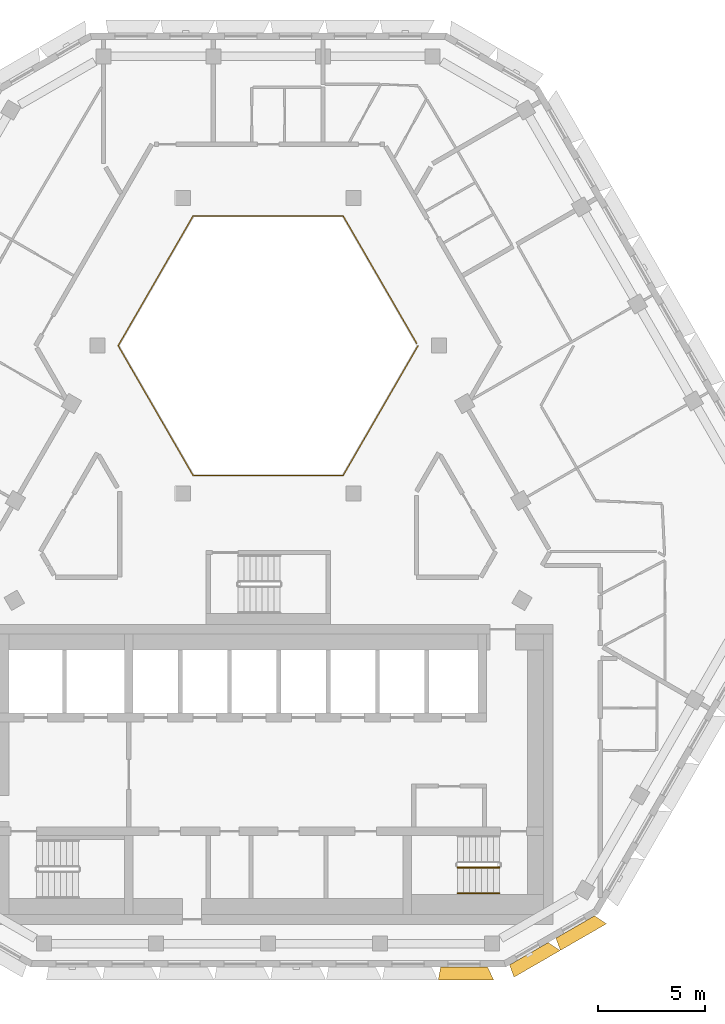
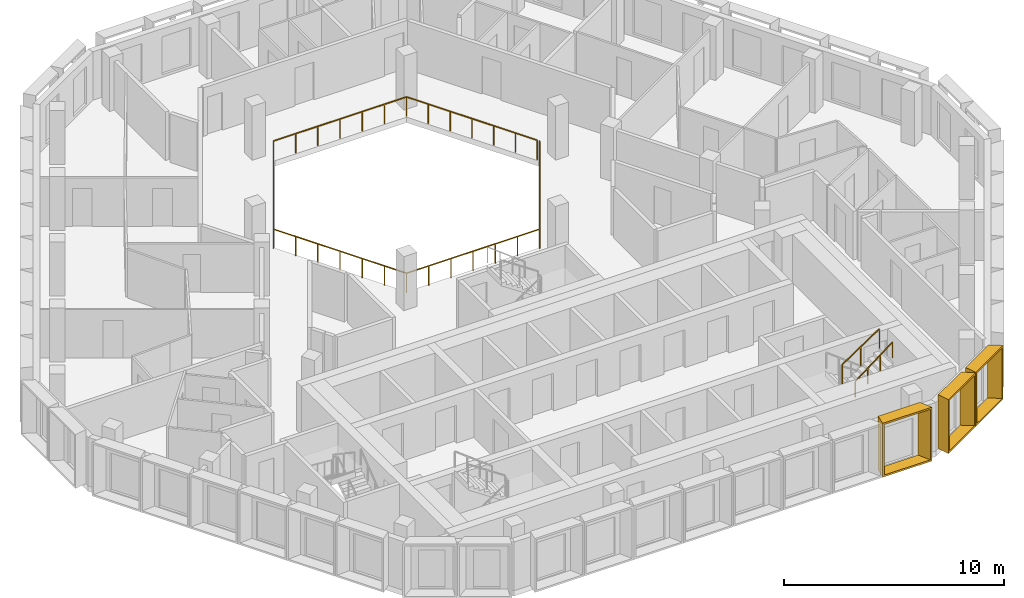
# One storey, part 14 of 16: 3 railings, 3 shading devices.
"""IFC4 building model written with IfcOpenShell, lengths in metres."""

from ifc_helpers import new_model, entity, si_unit, direction, frame, origin, origin_2d, place, context, subcontext, project, spatial, rectangle, extrude, source, transform, mapped, material, type_object, type_shapes, element, save


model = new_model("IFC4")

# Units and contexts
model_context = context("Model", 3, precision=1e-05, world=origin(), true_north=direction((0.0, 1.0)))
body_context = subcontext(model_context, "Body", "Model", "MODEL_VIEW")
ifc_project = project(units=[si_unit("LENGTHUNIT", "METRE"), si_unit("AREAUNIT", "SQUARE_METRE"), si_unit("VOLUMEUNIT", "CUBIC_METRE"), si_unit("PLANEANGLEUNIT", "RADIAN"), si_unit("MASSUNIT", "GRAM", prefix="KILO")], contexts=[model_context])

# Site, building, storey
site_placement = place(None, origin())
site = spatial("IfcSite", under=ifc_project, at=site_placement, CompositionType="ELEMENT")
building_placement = place(site_placement, origin())
building = spatial("IfcBuilding", under=site, at=building_placement, Name="Beryl Residences", CompositionType="ELEMENT")
storey_placement = place(building_placement, frame((0.0, 0.0, 220.800048828125)))
storey = spatial("IfcBuildingStorey", under=building, at=storey_placement, Name="L68", CompositionType="ELEMENT", Elevation=220.800048828125)

# Railing
ifc_material_1 = material(Name="Stainless steel balustrade with glass infill", Category="steel")
railing_type_1 = type_object("IfcRailingType", Name="EG1 edge guard 1100 mm", PredefinedType="GUARDRAIL", material=ifc_material_1)
railing_1_placement = place(storey_placement, frame((6.9970703125, 8.0, 0.0)))
element("IfcRailing", 1, at=railing_1_placement, inside=storey, type_object=railing_type_1, Name="L68 atrium guard", PredefinedType="GUARDRAIL", context=body_context, shape_type="SweptSolid", body=[
    extrude(rectangle(XDim=0.048095703125, YDim=0.048095703125, at=origin_2d()), frame((0.0, 0.0, 1.076171875), z_axis=(-0.499921796684, -0.866070549782, 0.0), x_axis=(0.866070549782, -0.499921796684, 0.0)), (0.0, 0.0, 1.0), 6.9970703125),
    extrude(rectangle(XDim=0.048095703125, YDim=0.048095703125, at=origin_2d()), frame((-3.498046875, -6.06005859375, 1.076171875), z_axis=(-1.0, 0.0, 0.0), x_axis=(0.0, -1.0, 0.0)), (0.0, 0.0, 1.0), 6.998046875),
    extrude(rectangle(XDim=0.048095703125, YDim=0.048095703125, at=origin_2d()), frame((-10.49609375, -6.06005859375, 1.076171875), z_axis=(-0.499921796684, 0.866070549782, 0.0), x_axis=(-0.866070549782, -0.499921796684, 0.0)), (0.0, 0.0, 1.0), 6.9970703125),
    extrude(rectangle(XDim=0.048095703125, YDim=0.048095703125, at=origin_2d()), frame((-13.994140625, 0.0, 1.076171875), z_axis=(0.499921796684, 0.866070549782, 0.0), x_axis=(-0.866070549782, 0.499921796684, 0.0)), (0.0, 0.0, 1.0), 6.9970703125),
    extrude(rectangle(XDim=0.048095703125, YDim=0.048095703125, at=origin_2d()), frame((-10.49609375, 6.06005859375, 1.076171875), z_axis=(1.0, 0.0, 0.0), x_axis=(0.0, 1.0, 0.0)), (0.0, 0.0, 1.0), 6.998046875),
    extrude(rectangle(XDim=0.048095703125, YDim=0.048095703125, at=origin_2d()), frame((-3.498046875, 6.06005859375, 1.076171875), z_axis=(0.499919131929, -0.866072087953, 0.0), x_axis=(0.866072087953, 0.499919131929, 0.0)), (0.0, 0.0, 1.0), 6.877197265625),
    extrude(rectangle(XDim=0.0419921875, YDim=0.0419921875, at=origin_2d()), origin(), (0.0, 0.0, 1.0), 1.052001953125),
    extrude(rectangle(XDim=0.0419921875, YDim=0.0419921875, at=origin_2d()), frame((-0.5830078125, -1.010009765625, 0.0)), (0.0, 0.0, 1.0), 1.052001953125),
    extrude(rectangle(XDim=0.0419921875, YDim=0.0419921875, at=origin_2d()), frame((-1.166015625, -2.02001953125, 0.0)), (0.0, 0.0, 1.0), 1.052001953125),
    extrude(rectangle(XDim=0.0419921875, YDim=0.0419921875, at=origin_2d()), frame((-1.7490234375, -3.030029296875, 0.0)), (0.0, 0.0, 1.0), 1.052001953125),
    extrude(rectangle(XDim=0.0419921875, YDim=0.0419921875, at=origin_2d()), frame((-2.33203125, -4.0400390625, 0.0)), (0.0, 0.0, 1.0), 1.052001953125),
    extrude(rectangle(XDim=0.0419921875, YDim=0.0419921875, at=origin_2d()), frame((-2.9150390625, -5.050048828125, 0.0)), (0.0, 0.0, 1.0), 1.052001953125),
    extrude(rectangle(XDim=0.0419921875, YDim=0.0419921875, at=origin_2d()), frame((-3.498046875, -6.06005859375, 0.0)), (0.0, 0.0, 1.0), 1.052001953125),
    extrude(rectangle(XDim=0.0419921875, YDim=0.0419921875, at=origin_2d()), frame((-4.664306640625, -6.06005859375, 0.0)), (0.0, 0.0, 1.0), 1.052001953125),
    extrude(rectangle(XDim=0.0419921875, YDim=0.0419921875, at=origin_2d()), frame((-5.830810546875, -6.06005859375, 0.0)), (0.0, 0.0, 1.0), 1.052001953125),
    extrude(rectangle(XDim=0.0419921875, YDim=0.0419921875, at=origin_2d()), frame((-6.9970703125, -6.06005859375, 0.0)), (0.0, 0.0, 1.0), 1.052001953125),
    extrude(rectangle(XDim=0.0419921875, YDim=0.0419921875, at=origin_2d()), frame((-8.163330078125, -6.06005859375, 0.0)), (0.0, 0.0, 1.0), 1.052001953125),
    extrude(rectangle(XDim=0.0419921875, YDim=0.0419921875, at=origin_2d()), frame((-9.329833984375, -6.06005859375, 0.0)), (0.0, 0.0, 1.0), 1.052001953125),
    extrude(rectangle(XDim=0.0419921875, YDim=0.0419921875, at=origin_2d()), frame((-10.49609375, -6.06005859375, 0.0)), (0.0, 0.0, 1.0), 1.052001953125),
    extrude(rectangle(XDim=0.0419921875, YDim=0.0419921875, at=origin_2d()), frame((-11.0791015625, -5.050048828125, 0.0)), (0.0, 0.0, 1.0), 1.052001953125),
    extrude(rectangle(XDim=0.0419921875, YDim=0.0419921875, at=origin_2d()), frame((-11.662109375, -4.0400390625, 0.0)), (0.0, 0.0, 1.0), 1.052001953125),
    extrude(rectangle(XDim=0.0419921875, YDim=0.0419921875, at=origin_2d()), frame((-12.2451171875, -3.030029296875, 0.0)), (0.0, 0.0, 1.0), 1.052001953125),
    extrude(rectangle(XDim=0.0419921875, YDim=0.0419921875, at=origin_2d()), frame((-12.828125, -2.02001953125, 0.0)), (0.0, 0.0, 1.0), 1.052001953125),
    extrude(rectangle(XDim=0.0419921875, YDim=0.0419921875, at=origin_2d()), frame((-13.4111328125, -1.010009765625, 0.0)), (0.0, 0.0, 1.0), 1.052001953125),
    extrude(rectangle(XDim=0.0419921875, YDim=0.0419921875, at=origin_2d()), frame((-13.994140625, 0.0, 0.0)), (0.0, 0.0, 1.0), 1.052001953125),
    extrude(rectangle(XDim=0.0419921875, YDim=0.0419921875, at=origin_2d()), frame((-13.4111328125, 1.010009765625, 0.0)), (0.0, 0.0, 1.0), 1.052001953125),
    extrude(rectangle(XDim=0.0419921875, YDim=0.0419921875, at=origin_2d()), frame((-12.828125, 2.02001953125, 0.0)), (0.0, 0.0, 1.0), 1.052001953125),
    extrude(rectangle(XDim=0.0419921875, YDim=0.0419921875, at=origin_2d()), frame((-12.2451171875, 3.030029296875, 0.0)), (0.0, 0.0, 1.0), 1.052001953125),
    extrude(rectangle(XDim=0.0419921875, YDim=0.0419921875, at=origin_2d()), frame((-11.662109375, 4.0400390625, 0.0)), (0.0, 0.0, 1.0), 1.052001953125),
    extrude(rectangle(XDim=0.0419921875, YDim=0.0419921875, at=origin_2d()), frame((-11.0791015625, 5.050048828125, 0.0)), (0.0, 0.0, 1.0), 1.052001953125),
    extrude(rectangle(XDim=0.0419921875, YDim=0.0419921875, at=origin_2d()), frame((-10.49609375, 6.06005859375, 0.0)), (0.0, 0.0, 1.0), 1.052001953125),
    extrude(rectangle(XDim=0.0419921875, YDim=0.0419921875, at=origin_2d()), frame((-9.329833984375, 6.06005859375, 0.0)), (0.0, 0.0, 1.0), 1.052001953125),
    extrude(rectangle(XDim=0.0419921875, YDim=0.0419921875, at=origin_2d()), frame((-8.163330078125, 6.06005859375, 0.0)), (0.0, 0.0, 1.0), 1.052001953125),
    extrude(rectangle(XDim=0.0419921875, YDim=0.0419921875, at=origin_2d()), frame((-6.9970703125, 6.06005859375, 0.0)), (0.0, 0.0, 1.0), 1.052001953125),
    extrude(rectangle(XDim=0.0419921875, YDim=0.0419921875, at=origin_2d()), frame((-5.830810546875, 6.06005859375, 0.0)), (0.0, 0.0, 1.0), 1.052001953125),
    extrude(rectangle(XDim=0.0419921875, YDim=0.0419921875, at=origin_2d()), frame((-4.664306640625, 6.06005859375, 0.0)), (0.0, 0.0, 1.0), 1.052001953125),
    extrude(rectangle(XDim=0.0419921875, YDim=0.0419921875, at=origin_2d()), frame((-3.498046875, 6.06005859375, 0.0)), (0.0, 0.0, 1.0), 1.052001953125),
    extrude(rectangle(XDim=0.0419921875, YDim=0.0419921875, at=origin_2d()), frame((-2.925048828125, 5.0673828125, 0.0)), (0.0, 0.0, 1.0), 1.052001953125),
    extrude(rectangle(XDim=0.0419921875, YDim=0.0419921875, at=origin_2d()), frame((-2.35205078125, 4.07470703125, 0.0)), (0.0, 0.0, 1.0), 1.052001953125),
    extrude(rectangle(XDim=0.0419921875, YDim=0.0419921875, at=origin_2d()), frame((-1.779052734375, 3.08203125, 0.0)), (0.0, 0.0, 1.0), 1.052001953125),
    extrude(rectangle(XDim=0.0419921875, YDim=0.0419921875, at=origin_2d()), frame((-1.2060546875, 2.08935546875, 0.0)), (0.0, 0.0, 1.0), 1.052001953125),
    extrude(rectangle(XDim=0.0419921875, YDim=0.0419921875, at=origin_2d()), frame((-0.633056640625, 1.0966796875, 0.0)), (0.0, 0.0, 1.0), 1.052001953125),
    extrude(rectangle(XDim=0.0419921875, YDim=0.0419921875, at=origin_2d()), frame((-0.06005859375, 0.10400390625, 0.0)), (0.0, 0.0, 1.0), 1.052001953125),
])

# Shading devices
ifc_material_2 = material(Name="Aluminium pale anodised", Category="aluminium")
shading_device_type_1 = type_object("IfcShadingDeviceType", Name="FR250-60C OUTER SKIN frame 600 mm deep, splay 10/26 deg, 2500 x 3000 mm cell", PredefinedType="USERDEFINED", material=ifc_material_2)
cartesian_point_1 = entity("IfcCartesianPoint", [-1.04052734375, 0.0])
cartesian_point_2 = entity("IfcCartesianPoint", [-0.959228515625, 0.10009765625])
cartesian_point_3 = entity("IfcCartesianPoint", [-1.146240234375, 0.0])
cartesian_point_4 = entity("IfcCartesianPoint", [-1.06494140625, 0.10009765625])
shared_shape_1 = source(origin(), body_context, "Body", "SweptSolid", [
    entity("IfcExtrudedAreaSolidTapered", entity("IfcArbitraryProfileDefWithVoids", "AREA", None, entity("IfcPolyline", [cartesian_point_1, entity("IfcCartesianPoint", [1.04052734375, 0.0]), entity("IfcCartesianPoint", [1.04052734375, 3.0]), entity("IfcCartesianPoint", [-1.04052734375, 3.0]), cartesian_point_1]), [entity("IfcPolyline", [cartesian_point_2, entity("IfcCartesianPoint", [0.951416015625, 0.10009765625]), entity("IfcCartesianPoint", [0.951416015625, 2.89990234375]), entity("IfcCartesianPoint", [-0.959228515625, 2.89990234375]), cartesian_point_2])]), entity("IfcAxis2Placement3D", entity("IfcCartesianPoint", [0.0, 0.0, 0.0]), entity("IfcDirection", [0.0, 1.0, 0.0]), entity("IfcDirection", [-1.0, 0.0, 0.0])), entity("IfcDirection", [0.0, 0.0, 1.0]), 0.60009765625, entity("IfcArbitraryProfileDefWithVoids", "AREA", None, entity("IfcPolyline", [cartesian_point_3, entity("IfcCartesianPoint", [1.333251953125, 0.0]), entity("IfcCartesianPoint", [1.333251953125, 3.0]), entity("IfcCartesianPoint", [-1.146240234375, 3.0]), cartesian_point_3]), [entity("IfcPolyline", [cartesian_point_4, entity("IfcCartesianPoint", [1.244140625, 0.10009765625]), entity("IfcCartesianPoint", [1.244140625, 2.89990234375]), entity("IfcCartesianPoint", [-1.06494140625, 2.89990234375]), cartesian_point_4])])),
])
type_shapes(shading_device_type_1, [shared_shape_1])
for number, where, z_axis, x_axis, name in (
    (2, (12.16796875, -20.375, 0.0), (0.0, 0.0, 1.0), (-0.866025403784, -0.5, 0.0), "FR250-60C frame L68 S-SE 1"),
    (3, (14.33203125, -19.125, 0.0), (0.0, 0.0, 1.0), (-0.866025403784, -0.5, 0.0), "FR250-60C frame L68 S-SE 2"),
):
    element("IfcShadingDevice", number, at=place(storey_placement, frame(where, z_axis=z_axis, x_axis=x_axis)), inside=storey, type_object=shading_device_type_1, Name=name, ObjectType="OUTER SKIN", PredefinedType="USERDEFINED", context=body_context, shape_type="MappedRepresentation", body=[
        mapped(shared_shape_1, transform((0.0, 0.0, 0.0))),
    ])
ifc_material_3 = material(Name="Aluminium pale anodised", Category="aluminium")
shading_device_type_2 = type_object("IfcShadingDeviceType", Name="FR261-60C OUTER SKIN frame 600 mm deep, splay 10/26 deg, 2610 x 3000 mm cell", PredefinedType="USERDEFINED", material=ifc_material_3)
cartesian_point_5 = entity("IfcCartesianPoint", [-1.095458984375, 0.0])
cartesian_point_6 = entity("IfcCartesianPoint", [-1.01416015625, 0.10009765625])
cartesian_point_7 = entity("IfcCartesianPoint", [-1.201416015625, 0.0])
cartesian_point_8 = entity("IfcCartesianPoint", [-1.1201171875, 0.10009765625])
shared_shape_2 = source(origin(), body_context, "Body", "SweptSolid", [
    entity("IfcExtrudedAreaSolidTapered", entity("IfcArbitraryProfileDefWithVoids", "AREA", None, entity("IfcPolyline", [cartesian_point_5, entity("IfcCartesianPoint", [1.095458984375, 0.0]), entity("IfcCartesianPoint", [1.095458984375, 3.0]), entity("IfcCartesianPoint", [-1.095458984375, 3.0]), cartesian_point_5]), [entity("IfcPolyline", [cartesian_point_6, entity("IfcCartesianPoint", [1.006591796875, 0.10009765625]), entity("IfcCartesianPoint", [1.006591796875, 2.89990234375]), entity("IfcCartesianPoint", [-1.01416015625, 2.89990234375]), cartesian_point_6])]), entity("IfcAxis2Placement3D", entity("IfcCartesianPoint", [0.0, 0.0, 0.0]), entity("IfcDirection", [0.0, 1.0, 0.0]), entity("IfcDirection", [-1.0, 0.0, 0.0])), entity("IfcDirection", [0.0, 0.0, 1.0]), 0.60009765625, entity("IfcArbitraryProfileDefWithVoids", "AREA", None, entity("IfcPolyline", [cartesian_point_7, entity("IfcCartesianPoint", [1.38818359375, 0.0]), entity("IfcCartesianPoint", [1.38818359375, 3.0]), entity("IfcCartesianPoint", [-1.201416015625, 3.0]), cartesian_point_7]), [entity("IfcPolyline", [cartesian_point_8, entity("IfcCartesianPoint", [1.299072265625, 0.10009765625]), entity("IfcCartesianPoint", [1.299072265625, 2.89990234375]), entity("IfcCartesianPoint", [-1.1201171875, 2.89990234375]), cartesian_point_8])])),
])
type_shapes(shading_device_type_2, [shared_shape_2])
shading_device_placement = place(storey_placement, frame((9.14404296875, -21.0, 0.0), z_axis=(0.0, 0.0, 1.0), x_axis=(-1.0, 0.0, 0.0)))
element("IfcShadingDevice", 4, at=shading_device_placement, inside=storey, type_object=shading_device_type_2, Name="FR261-60C frame L68 S 8", ObjectType="OUTER SKIN", PredefinedType="USERDEFINED", context=body_context, shape_type="MappedRepresentation", body=[
    mapped(shared_shape_2, transform((0.0, 0.0, 0.0))),
])

# Railings
ifc_material_4 = material(Name="Stainless steel balustrade with glass infill", Category="steel")
railing_type_2 = type_object("IfcRailingType", Name="SG1 stair guard 1100 mm", PredefinedType="GUARDRAIL", material=ifc_material_4)
railing_2_placement = place(storey_placement, frame((8.840087890625, -16.35009765625, 1.6875)))
element("IfcRailing", 5, at=railing_2_placement, inside=storey, type_object=railing_type_2, Name="L68 ST-3 stair guard 3", PredefinedType="GUARDRAIL", context=body_context, shape_type="SweptSolid", body=[
    extrude(rectangle(XDim=0.048095703125, YDim=0.048095703125, at=origin_2d()), frame((0.0, 0.0, 1.076171875), z_axis=(0.830902050051, 0.0, 0.556418712142), x_axis=(0.0, 1.0, 0.0)), (0.0, 0.0, 1.0), 2.35888671875),
    extrude(rectangle(XDim=0.0419921875, YDim=0.0419921875, at=origin_2d()), origin(), (0.0, 0.0, 1.0), 1.052001953125),
    extrude(rectangle(XDim=0.0419921875, YDim=0.0419921875, at=origin_2d()), frame((0.97998046875, 0.0, 0.65625)), (0.0, 0.0, 1.0), 1.052001953125),
    extrude(rectangle(XDim=0.0419921875, YDim=0.0419921875, at=origin_2d()), frame((1.9599609375, 0.0, 1.3125)), (0.0, 0.0, 1.0), 1.052001953125),
])
ifc_material_5 = material(Name="Stainless steel handrail", Category="steel")
railing_type_3 = type_object("IfcRailingType", Name="SRL1 stair handrail 900 mm", PredefinedType="HANDRAIL", material=ifc_material_5)
railing_3_placement = place(storey_placement, frame((8.840087890625, -17.550048828125, 1.6875)))
element("IfcRailing", 6, at=railing_3_placement, inside=storey, type_object=railing_type_3, Name="L68 ST-3 stair handrail 2", PredefinedType="HANDRAIL", context=body_context, shape_type="SweptSolid", body=[
    extrude(rectangle(XDim=0.048095703125, YDim=0.048095703125, at=origin_2d()), frame((0.0, 0.0, 0.8759765625), z_axis=(0.794121922505, 0.0, 0.607758481798), x_axis=(0.0, 1.0, 0.0)), (0.0, 0.0, 1.0), 2.468017578125),
    extrude(rectangle(XDim=0.0419921875, YDim=0.0419921875, at=origin_2d()), origin(), (0.0, 0.0, 1.0), 0.851806640625),
    extrude(rectangle(XDim=0.0419921875, YDim=0.0419921875, at=origin_2d()), frame((0.6533203125, 0.0, 0.5)), (0.0, 0.0, 1.0), 0.851806640625),
    extrude(rectangle(XDim=0.0419921875, YDim=0.0419921875, at=origin_2d()), frame((1.306640625, 0.0, 1.0)), (0.0, 0.0, 1.0), 0.851806640625),
    extrude(rectangle(XDim=0.0419921875, YDim=0.0419921875, at=origin_2d()), frame((1.9599609375, 0.0, 1.5)), (0.0, 0.0, 1.0), 0.851806640625),
])

save(model, "model.ifc")
